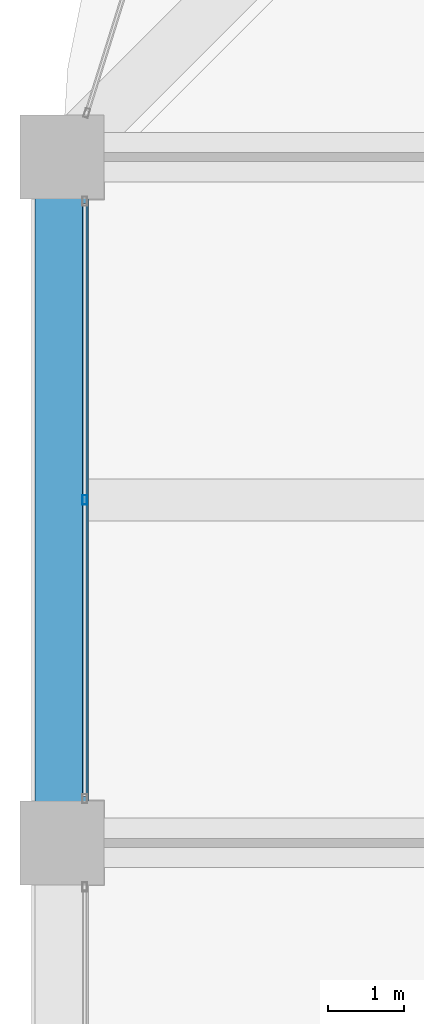
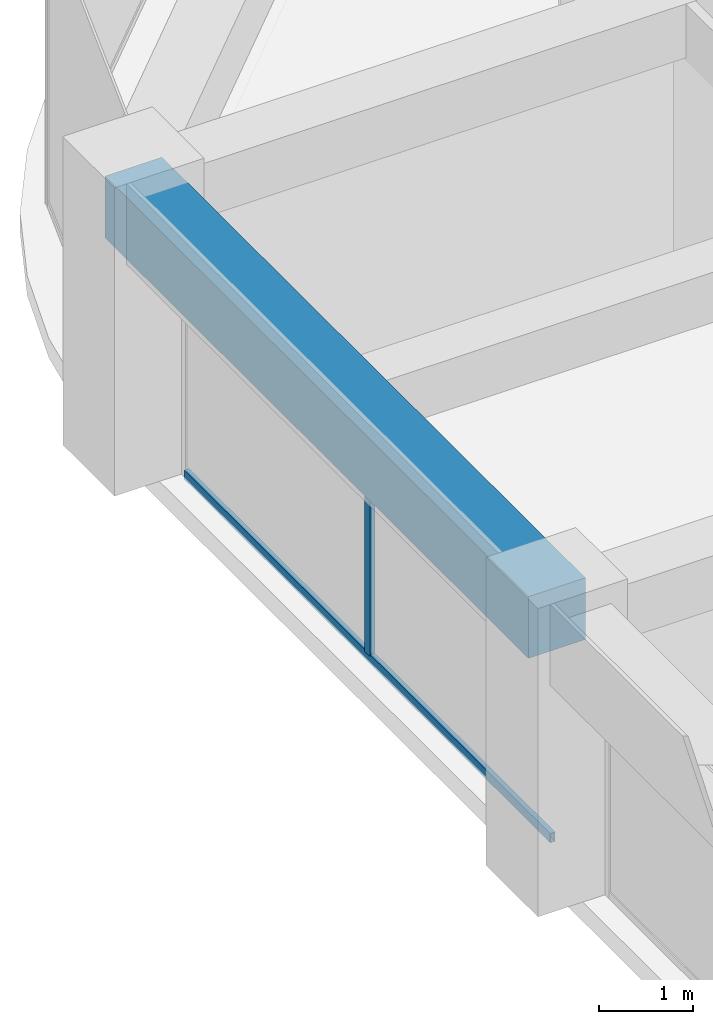
# One storey, part 16 of 44: 2 members, 1 beam, 1 element without a shape of its own.
"""IFC4 building model written with IfcOpenShell, lengths in metres."""

from ifc_helpers import new_model, si_unit, direction, frame, origin, origin_2d, place, context, subcontext, project, spatial, rectangle, hollow_rectangle, extrude, material, material_profile, profile_set, type_object, element, aggregate, save


model = new_model("IFC4")

# Units and contexts
model_context = context("Model", 3, precision=1e-05, world=origin(), true_north=direction((0.0, 1.0)))
body_context = subcontext(model_context, "Body", "Model", "MODEL_VIEW")
ifc_project = project(units=[si_unit("LENGTHUNIT", "METRE"), si_unit("AREAUNIT", "SQUARE_METRE"), si_unit("VOLUMEUNIT", "CUBIC_METRE"), si_unit("PLANEANGLEUNIT", "RADIAN"), si_unit("MASSUNIT", "GRAM", prefix="KILO")], contexts=[model_context])

# Site, building, storey
site_placement = place(None, origin())
site = spatial("IfcSite", under=ifc_project, at=site_placement, CompositionType="ELEMENT")
building_placement = place(site_placement, origin())
building = spatial("IfcBuilding", under=site, at=building_placement, Name="Zorevar Civic Tower", CompositionType="ELEMENT")
storey_placement = place(building_placement, frame((0.0, 0.0, 295.39990234375)))
storey = spatial("IfcBuildingStorey", under=building, at=storey_placement, Name="L72", CompositionType="ELEMENT", Elevation=295.39990234375)

# Curtain wall, members
ifc_material_1 = material(Name="Dark grey solar-control glass in black aluminium frame", Category="aluminium")
curtain_wall_type = type_object("IfcCurtainWallType", Name="Curtain wall CW5 top zone", PredefinedType="NOTDEFINED", material=ifc_material_1)
curtain_wall_placement = place(storey_placement, origin())
curtain_wall = element("IfcCurtainWall", 1, at=curtain_wall_placement, inside=storey, type_object=curtain_wall_type, Name="CW5 L72", PredefinedType="NOTDEFINED")
ifc_material_2 = material(Name="Aluminium, black anodised", Category="aluminium")
ifc_material_profile_1 = material_profile(ifc_material_2, hollow_rectangle(XDim=0.06005859375, YDim=0.1201171875, WallThickness=0.0029296875, at=origin_2d()), Name="AL 120x60x3")
ifc_profile_set_1 = profile_set([ifc_material_profile_1], Name="Aluminium, black anodised")
member_type_1 = type_object("IfcMemberType", Name="CW5 mullion AL 120x60x3", PredefinedType="MULLION", material=ifc_profile_set_1)
member_1_placement = place(storey_placement, frame((9.300048828125, 31.5, 0.06005859375), z_axis=(0.0, 0.0, 1.0), x_axis=(-1.0, 0.0, 0.0)))
member_1 = element("IfcMember", 2, at=member_1_placement, type_object=member_type_1, Name="CW5 mullion 2", PredefinedType="MULLION", context=body_context, shape_type="SweptSolid", body=[
    extrude(hollow_rectangle(XDim=0.06005859375, YDim=0.1201171875, WallThickness=0.0029296875, at=origin_2d()), origin(), (0.0, 0.0, 1.0), 2.89013671875),
])
ifc_material_3 = material(Name="Aluminium, black anodised", Category="aluminium")
ifc_material_profile_2 = material_profile(ifc_material_3, hollow_rectangle(XDim=0.06005859375, YDim=0.1201171875, WallThickness=0.0029296875, at=origin_2d()), Name="AL 120x60x3")
ifc_profile_set_2 = profile_set([ifc_material_profile_2], Name="Aluminium, black anodised")
member_type_2 = type_object("IfcMemberType", Name="CW5 transom AL 120x60x3", PredefinedType="USERDEFINED", material=ifc_profile_set_2)
member_2_placement = place(storey_placement, frame((9.300048828125, 27.610107421875, 0.030029296875), z_axis=(0.0, 1.0, 0.0), x_axis=(-1.0, 0.0, 0.0)))
member_2 = element("IfcMember", 3, at=member_2_placement, type_object=member_type_2, Name="CW5 sill transom", ObjectType="TRANSOM", PredefinedType="USERDEFINED", context=body_context, shape_type="SweptSolid", body=[
    extrude(hollow_rectangle(XDim=0.06005859375, YDim=0.1201171875, WallThickness=0.0029296875, at=origin_2d()), origin(), (0.0, 0.0, 1.0), 7.77978515625),
])
aggregate(curtain_wall, [member_1, member_2])

# Beam
ifc_material_4 = material(Name="Concrete C50/60", Category="concrete")
ifc_material_profile_3 = material_profile(ifc_material_4, rectangle(XDim=0.699951171875, YDim=0.800048828125, at=origin_2d()), Name="RC 700x800")
ifc_profile_set_3 = profile_set([ifc_material_profile_3], Name="Concrete C50/60")
beam_type = type_object("IfcBeamType", Name="Edge beam RC 700x800", PredefinedType="SPANDREL", material=ifc_profile_set_3)
beam_placement = place(storey_placement, frame((9.0, 27.0, 3.35009765625), z_axis=(0.0, 1.0, 0.0), x_axis=(-1.0, 0.0, 0.0)))
element("IfcBeam", 4, at=beam_placement, inside=storey, type_object=beam_type, Name="Edge beam L73", PredefinedType="SPANDREL", context=body_context, shape_type="SweptSolid", body=[
    extrude(rectangle(XDim=0.699951171875, YDim=0.800048828125, at=origin_2d()), origin(), (0.0, 0.0, 1.0), 9.0),
])

save(model, "model.ifc")
